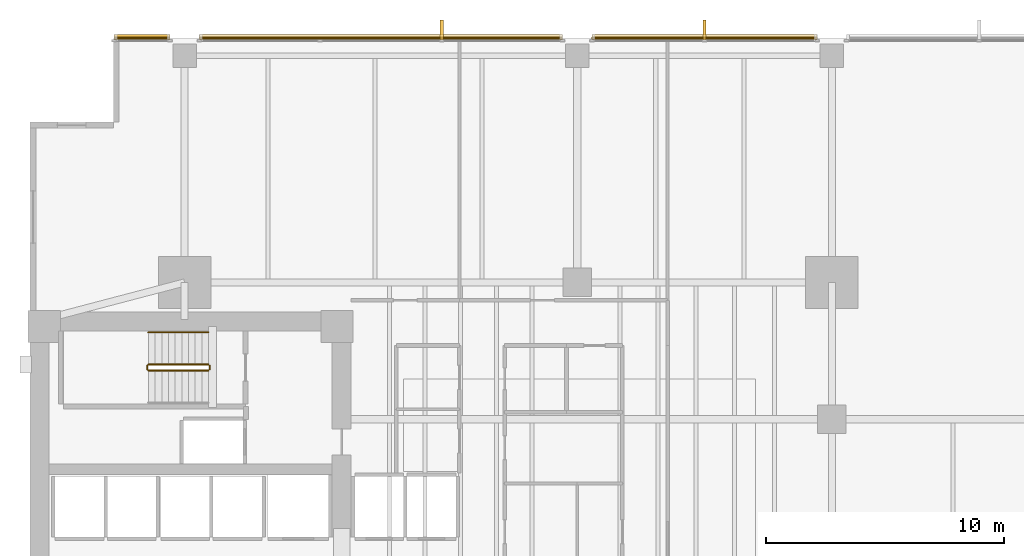
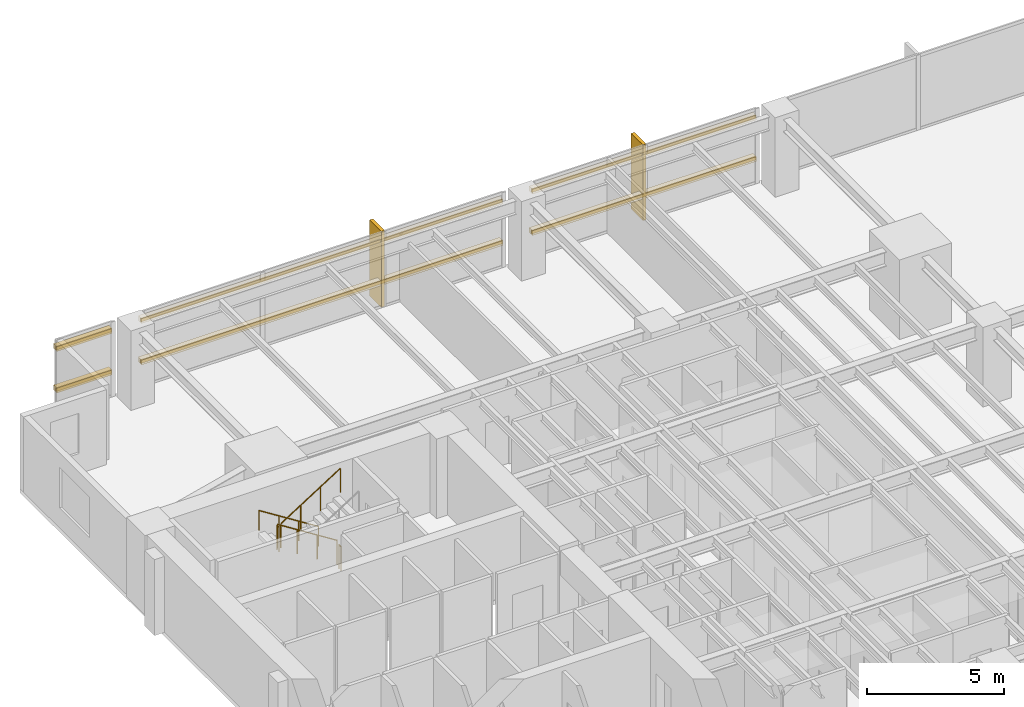
# One storey, part 14 of 15: 8 coverings, 6 shading devices, 5 railings.
"""IFC4 building model written with IfcOpenShell, lengths in metres."""

from ifc_helpers import new_model, si_unit, direction, frame, origin, origin_2d, place, context, subcontext, project, spatial, polyline, rectangle, circle, outline, extrude, material, layer, layer_set, material_profile, profile_set, type_object, element, save


model = new_model("IFC4")

# Units and contexts
model_context = context("Model", 3, precision=1e-05, world=origin(), true_north=direction((0.0, 1.0)))
body_context = subcontext(model_context, "Body", "Model", "MODEL_VIEW")
ifc_project = project(units=[si_unit("LENGTHUNIT", "METRE"), si_unit("AREAUNIT", "SQUARE_METRE"), si_unit("VOLUMEUNIT", "CUBIC_METRE"), si_unit("PLANEANGLEUNIT", "RADIAN"), si_unit("MASSUNIT", "GRAM", prefix="KILO")], contexts=[model_context])

# Site, building, storey
site_placement = place(None, origin())
site = spatial("IfcSite", under=ifc_project, at=site_placement, CompositionType="ELEMENT")
building_placement = place(site_placement, origin())
building = spatial("IfcBuilding", under=site, at=building_placement, Name="Kinhvarn Gate Tower", CompositionType="ELEMENT")
storey_placement = place(building_placement, frame((0.0, 0.0, 89.5)))
storey = spatial("IfcBuildingStorey", under=building, at=storey_placement, Name="L23", CompositionType="ELEMENT", Elevation=89.5)

# Coverings
ifc_material_1 = material(Name="Fired architectural terracotta", Category="masonry")
ifc_layer_1 = layer(ifc_material_1, 0.239990234375)
ifc_layer_set_1 = layer_set([ifc_layer_1], Name="Fired architectural terracotta")
covering_type_1 = type_object("IfcCoveringType", Name="COV-BAG-220", PredefinedType="CLADDING", material=ifc_layer_set_1)
for number, where, name in (
    (1, (0.0, 0.0, 0.93994140625), "Terracotta Horizontal Sunscreen Band TBG-220 (L23)"),
    (2, (0.0, 0.0, 2.7900390625), "Terracotta Horizontal Sunscreen Band TBG-220 (L23)"),
):
    element("IfcCovering", number, at=place(storey_placement, frame(where)), inside=storey, type_object=covering_type_1, Name=name, PredefinedType="CLADDING", context=body_context, shape_type="SweptSolid", body=[
        extrude(outline(polyline([(37.580078125, 47.93994140625), (28.1201171875, 47.93994140625), (28.1201171875, 48.179931640625), (37.580078125, 48.179931640625), (37.580078125, 47.93994140625)])), origin(), (0.0, 0.0, 1.0), 0.219970703125),
    ])
for number, where, name in (
    (3, (0.0, 0.0, 0.93994140625), "Terracotta Horizontal Sunscreen Band TBG-220 (L23)"),
    (4, (0.0, 0.0, 2.7900390625), "Terracotta Horizontal Sunscreen Band TBG-220 (L23)"),
):
    element("IfcCovering", number, at=place(storey_placement, frame(where)), inside=storey, type_object=covering_type_1, Name=name, PredefinedType="CLADDING", context=body_context, shape_type="SweptSolid", body=[
        extrude(outline(polyline([(26.8798828125, 47.93994140625), (11.6201171875, 47.93994140625), (11.6201171875, 48.179931640625), (26.8798828125, 48.179931640625), (26.8798828125, 47.93994140625)])), origin(), (0.0, 0.0, 1.0), 0.219970703125),
    ])
for number, where, name in (
    (5, (0.0, 0.0, 0.93994140625), "Terracotta Horizontal Sunscreen Band TBG-220 (L23)"),
    (6, (0.0, 0.0, 2.7900390625), "Terracotta Horizontal Sunscreen Band TBG-220 (L23)"),
):
    element("IfcCovering", number, at=place(storey_placement, frame(where)), inside=storey, type_object=covering_type_1, Name=name, PredefinedType="CLADDING", context=body_context, shape_type="SweptSolid", body=[
        extrude(outline(polyline([(10.3798828125, 47.93994140625), (8.0400390625, 47.93994140625), (8.0400390625, 48.179931640625), (10.3798828125, 48.179931640625), (10.3798828125, 47.93994140625)])), origin(), (0.0, 0.0, 1.0), 0.219970703125),
    ])
ifc_layer_2 = layer(ifc_material_1, 0.139892578125)
ifc_layer_set_2 = layer_set([ifc_layer_2], Name="Fired architectural terracotta")
covering_type_2 = type_object("IfcCoveringType", Name="COV-FIN-850", PredefinedType="CLADDING", material=ifc_layer_set_2)
covering_1_placement = place(storey_placement, frame((0.0, 0.0, -0.02001953125)))
element("IfcCovering", 7, at=covering_1_placement, inside=storey, type_object=covering_type_2, Name="Vertical Terracotta Expressive Fin TFN-850 (L23)", PredefinedType="CLADDING", context=body_context, shape_type="SweptSolid", body=[
    extrude(outline(polyline([(32.919921875, 47.929931640625), (32.780029296875, 47.929931640625), (32.780029296875, 48.780029296875), (32.919921875, 48.780029296875), (32.919921875, 47.929931640625)])), origin(), (0.0, 0.0, 1.0), 3.39013671875),
])
covering_2_placement = place(storey_placement, frame((0.0, 0.0, -0.02001953125)))
element("IfcCovering", 8, at=covering_2_placement, inside=storey, type_object=covering_type_2, Name="Vertical Terracotta Expressive Fin TFN-850 (L23)", PredefinedType="CLADDING", context=body_context, shape_type="SweptSolid", body=[
    extrude(outline(polyline([(21.876708984375, 47.929931640625), (21.73681640625, 47.929931640625), (21.73681640625, 48.780029296875), (21.876708984375, 48.780029296875), (21.876708984375, 47.929931640625)])), origin(), (0.0, 0.0, 1.0), 3.39013671875),
])

# Railings
ifc_material_2 = material(Name="Steel S355", Category="steel")
railing_type_1 = type_object("IfcRailingType", Name="RL-ST-GRD", PredefinedType="BALUSTRADE", material=ifc_material_2)
railing_1_placement = place(storey_placement, frame((12.0, 34.300048828125, 0.177490234375)))
element("IfcRailing", 9, at=railing_1_placement, inside=storey, type_object=railing_type_1, Name="L23 ST2 stair guard 1", PredefinedType="BALUSTRADE", context=body_context, shape_type="SweptSolid", body=[
    extrude(circle(Radius=0.02392578125, at=origin_2d()), frame((0.0, 0.0, 1.076171875), z_axis=(-0.84460694969, 0.0, 0.535386869969), x_axis=(0.0, -1.0, 0.0)), (0.0, 0.0, 1.0), 2.983642578125),
    extrude(circle(Radius=0.02099609375, at=origin_2d()), origin(), (0.0, 0.0, 1.0), 1.052001953125),
    extrude(circle(Radius=0.02099609375, at=origin_2d()), frame((-0.840087890625, 0.0, 0.532470703125)), (0.0, 0.0, 1.0), 1.052001953125),
    extrude(circle(Radius=0.02099609375, at=origin_2d()), frame((-1.679931640625, 0.0, 1.06494140625)), (0.0, 0.0, 1.0), 1.052001953125),
    extrude(circle(Radius=0.02099609375, at=origin_2d()), frame((-2.52001953125, 0.0, 1.597412109375)), (0.0, 0.0, 1.0), 1.052001953125),
])
railing_2_placement = place(storey_placement, frame((9.429931640625, 34.25, 1.77490234375)))
element("IfcRailing", 10, at=railing_2_placement, inside=storey, type_object=railing_type_1, Name="L23 ST2 stair guard 2", PredefinedType="BALUSTRADE", context=body_context, shape_type="SweptSolid", body=[
    extrude(circle(Radius=0.02392578125, at=origin_2d()), frame((0.0, 0.0, 1.076171875), z_axis=(0.0, -1.0, 0.0), x_axis=(1.0, 0.0, 0.0)), (0.0, 0.0, 1.0), 0.14990234375),
    extrude(circle(Radius=0.02099609375, at=origin_2d()), origin(), (0.0, 0.0, 1.0), 1.052001953125),
    extrude(circle(Radius=0.02099609375, at=origin_2d()), frame((0.0, -0.14990234375, 0.0)), (0.0, 0.0, 1.0), 1.052001953125),
])
railing_3_placement = place(storey_placement, frame((9.47998046875, 34.050048828125, 1.952392578125)))
element("IfcRailing", 11, at=railing_3_placement, inside=storey, type_object=railing_type_1, Name="L23 ST2 stair guard 3", PredefinedType="BALUSTRADE", context=body_context, shape_type="SweptSolid", body=[
    extrude(circle(Radius=0.02392578125, at=origin_2d()), frame((0.0, 0.0, 1.076171875), z_axis=(0.84456994832, 0.0, 0.535445237532), x_axis=(0.0, 1.0, 0.0)), (0.0, 0.0, 1.0), 2.98388671875),
    extrude(circle(Radius=0.02099609375, at=origin_2d()), origin(), (0.0, 0.0, 1.0), 1.052001953125),
    extrude(circle(Radius=0.02099609375, at=origin_2d()), frame((0.840087890625, 0.0, 0.532470703125)), (0.0, 0.0, 1.0), 1.052001953125),
    extrude(circle(Radius=0.02099609375, at=origin_2d()), frame((1.679931640625, 0.0, 1.065185546875)), (0.0, 0.0, 1.0), 1.052001953125),
    extrude(circle(Radius=0.02099609375, at=origin_2d()), frame((2.52001953125, 0.0, 1.59765625)), (0.0, 0.0, 1.0), 1.052001953125),
])
railing_4_placement = place(storey_placement, frame((12.050048828125, 34.25, 0.0)))
element("IfcRailing", 12, at=railing_4_placement, inside=storey, type_object=railing_type_1, Name="L23 ST2 stair guard 4", PredefinedType="BALUSTRADE", context=body_context, shape_type="SweptSolid", body=[
    extrude(circle(Radius=0.02392578125, at=origin_2d()), frame((0.0, 0.0, 1.076171875), z_axis=(0.0, -1.0, 0.0), x_axis=(1.0, 0.0, 0.0)), (0.0, 0.0, 1.0), 0.14990234375),
    extrude(circle(Radius=0.02099609375, at=origin_2d()), origin(), (0.0, 0.0, 1.0), 1.052001953125),
    extrude(circle(Radius=0.02099609375, at=origin_2d()), frame((0.0, -0.14990234375, 0.0)), (0.0, 0.0, 1.0), 1.052001953125),
])
railing_type_2 = type_object("IfcRailingType", Name="RL-ST-HND", PredefinedType="HANDRAIL", material=ifc_material_2)
railing_5_placement = place(storey_placement, frame((12.0, 35.64990234375, 0.177490234375)))
element("IfcRailing", 13, at=railing_5_placement, inside=storey, type_object=railing_type_2, Name="L23 ST2 stair handrail 1", PredefinedType="HANDRAIL", context=body_context, shape_type="SweptSolid", body=[
    extrude(circle(Radius=0.02392578125, at=origin_2d()), frame((0.0, 0.0, 0.8759765625), z_axis=(-0.84460694969, 0.0, 0.535386869969), x_axis=(0.0, -1.0, 0.0)), (0.0, 0.0, 1.0), 2.983642578125),
    extrude(circle(Radius=0.02099609375, at=origin_2d()), origin(), (0.0, 0.0, 1.0), 0.851806640625),
    extrude(circle(Radius=0.02099609375, at=origin_2d()), frame((-0.840087890625, 0.0, 0.532470703125)), (0.0, 0.0, 1.0), 0.851806640625),
    extrude(circle(Radius=0.02099609375, at=origin_2d()), frame((-1.679931640625, 0.0, 1.06494140625)), (0.0, 0.0, 1.0), 0.851806640625),
    extrude(circle(Radius=0.02099609375, at=origin_2d()), frame((-2.52001953125, 0.0, 1.597412109375)), (0.0, 0.0, 1.0), 0.851806640625),
])

# Shading devices
ifc_material_profile = material_profile(ifc_material_1, rectangle(XDim=0.06005859375, YDim=0.139892578125, at=origin_2d()), Name="TC 60x140")
ifc_profile_set = profile_set([ifc_material_profile], Name="Fired architectural terracotta")
shading_device_type = type_object("IfcShadingDeviceType", Name="SHD-BAG-180", PredefinedType="USERDEFINED", material=ifc_profile_set)
for number, where, z_axis, x_axis, name in (
    (14, (37.580078125, 48.014892578125, 1.050048828125), (-1.0, 0.0, 0.0), (0.0, -1.0, 0.0), "Fired Terracotta Baguette Screen Rod 60x140 mm (L23)"),
    (15, (37.580078125, 48.014892578125, 2.89990234375), (-1.0, 0.0, 0.0), (0.0, -1.0, 0.0), "Fired Terracotta Baguette Screen Rod 60x140 mm (L23)"),
):
    element("IfcShadingDevice", number, at=place(storey_placement, frame(where, z_axis=z_axis, x_axis=x_axis)), inside=storey, type_object=shading_device_type, Name=name, ObjectType="BAGUETTE", PredefinedType="USERDEFINED", context=body_context, shape_type="SweptSolid", body=[
        extrude(rectangle(XDim=0.06005859375, YDim=0.139892578125, at=origin_2d()), origin(), (0.0, 0.0, 1.0), 9.4599609375),
    ])
for number, where, z_axis, x_axis, name in (
    (16, (26.8798828125, 48.014892578125, 1.050048828125), (-1.0, 0.0, 0.0), (0.0, -1.0, 0.0), "Fired Terracotta Baguette Screen Rod 60x140 mm (L23)"),
    (17, (26.8798828125, 48.014892578125, 2.89990234375), (-1.0, 0.0, 0.0), (0.0, -1.0, 0.0), "Fired Terracotta Baguette Screen Rod 60x140 mm (L23)"),
):
    element("IfcShadingDevice", number, at=place(storey_placement, frame(where, z_axis=z_axis, x_axis=x_axis)), inside=storey, type_object=shading_device_type, Name=name, ObjectType="BAGUETTE", PredefinedType="USERDEFINED", context=body_context, shape_type="SweptSolid", body=[
        extrude(rectangle(XDim=0.06005859375, YDim=0.139892578125, at=origin_2d()), origin(), (0.0, 0.0, 1.0), 15.259765625),
    ])
for number, where, z_axis, x_axis, name in (
    (18, (10.3798828125, 48.014892578125, 1.050048828125), (-1.0, 0.0, 0.0), (0.0, -1.0, 0.0), "Fired Terracotta Baguette Screen Rod 60x140 mm (L23)"),
    (19, (10.3798828125, 48.014892578125, 2.89990234375), (-1.0, 0.0, 0.0), (0.0, -1.0, 0.0), "Fired Terracotta Baguette Screen Rod 60x140 mm (L23)"),
):
    element("IfcShadingDevice", number, at=place(storey_placement, frame(where, z_axis=z_axis, x_axis=x_axis)), inside=storey, type_object=shading_device_type, Name=name, ObjectType="BAGUETTE", PredefinedType="USERDEFINED", context=body_context, shape_type="SweptSolid", body=[
        extrude(rectangle(XDim=0.06005859375, YDim=0.139892578125, at=origin_2d()), origin(), (0.0, 0.0, 1.0), 2.33984375),
    ])

save(model, "model.ifc")
